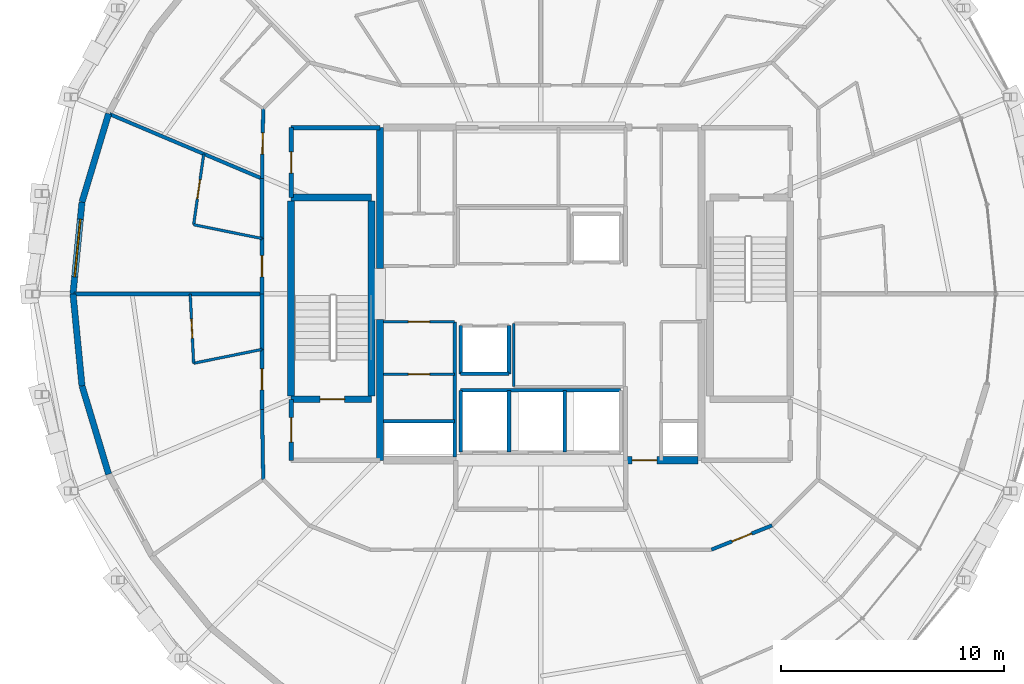
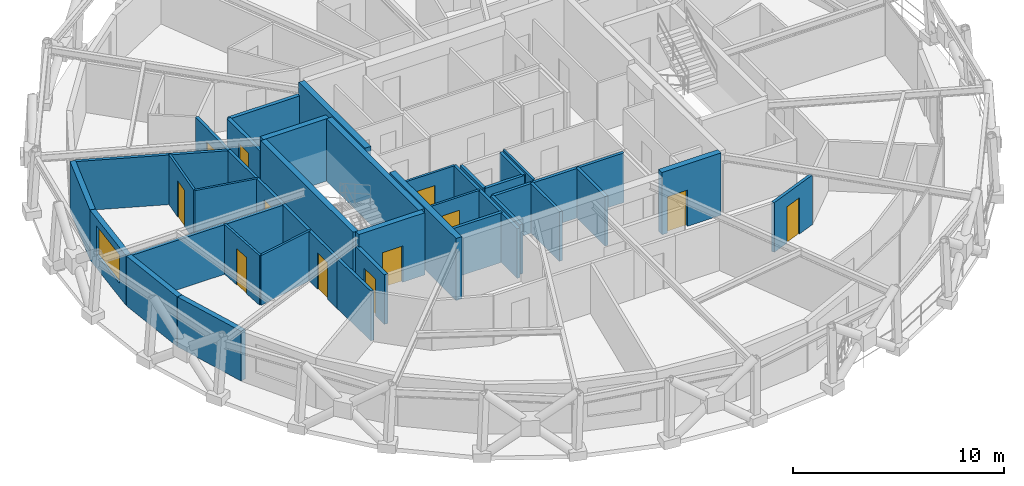
# One storey, part 11 of 15: 39 walls, 12 doors, 1 window, 13 openings.
"""IFC4 building model written with IfcOpenShell, lengths in metres."""

from ifc_helpers import new_model, si_unit, direction, frame, frame_2d, origin, place, context, subcontext, project, spatial, rectangle, extrude, material, layer, layer_set, type_object, element, fill, save


model = new_model("IFC4")

# Units and contexts
model_context = context("Model", 3, precision=1e-05, world=origin(), true_north=direction((0.0, 1.0)))
body_context = subcontext(model_context, "Body", "Model", "MODEL_VIEW")
ifc_project = project(units=[si_unit("LENGTHUNIT", "METRE"), si_unit("AREAUNIT", "SQUARE_METRE"), si_unit("VOLUMEUNIT", "CUBIC_METRE"), si_unit("PLANEANGLEUNIT", "RADIAN"), si_unit("MASSUNIT", "GRAM", prefix="KILO")], contexts=[model_context])

# Site, building, storey
site_placement = place(None, origin())
site = spatial("IfcSite", under=ifc_project, at=site_placement, CompositionType="ELEMENT")
building_placement = place(site_placement, origin())
building = spatial("IfcBuilding", under=site, at=building_placement, Name="Veldorina Hangang Commons", CompositionType="ELEMENT")
storey_placement = place(building_placement, frame((0.0, 0.0, 250.800048828125)))
storey = spatial("IfcBuildingStorey", under=building, at=storey_placement, Name="L65", CompositionType="ELEMENT", Elevation=250.800048828125)

# Walls
ifc_material_1 = material(Name="Concrete C50/60", Category="concrete")
ifc_layer_1 = layer(ifc_material_1, 0.320068359375)
ifc_layer_set_1 = layer_set([ifc_layer_1], Name="Concrete C50/60")
wall_type_1 = type_object("IfcWallType", Name="CW-RC320-C50", PredefinedType="SHEAR", material=ifc_layer_set_1)
for number, where, z_axis, x_axis, name in (
    (1, (24.800048828125, 16.550048828125, 0.0), (0.0, 0.0, 1.0), (0.0, 1.0, 0.0), "L65 W south core shear wall"),
    (2, (24.800048828125, 25.14990234375, 0.0), (0.0, 0.0, 1.0), (0.0, 1.0, 0.0), "L65 W north core shear wall"),
):
    element("IfcWall", number, at=place(storey_placement, frame(where, z_axis=z_axis, x_axis=x_axis)), inside=storey, type_object=wall_type_1, Name=name, PredefinedType="SHEAR", context=body_context, shape_type="SweptSolid", body=[
        extrude(rectangle(XDim=6.300048828125, YDim=0.320068359375, at=frame_2d((3.14990234375, 0.0))), origin(), (0.0, 0.0, 1.0), 3.599853515625),
    ])

# Wall, opening, door
wall_1_placement = place(storey_placement, frame((35.800048828125, 16.550048828125, 0.0), z_axis=(0.0, 0.0, 1.0), x_axis=(1.0, 0.0, 0.0)))
wall_1 = element("IfcWall", 3, at=wall_1_placement, inside=storey, type_object=wall_type_1, Name="L65 south-east core shear wall", PredefinedType="SHEAR", context=body_context, shape_type="SweptSolid", body=[
    extrude(rectangle(XDim=3.239990234375, YDim=0.320068359375, at=frame_2d((1.6201171875, 0.0))), origin(), (0.0, 0.0, 1.0), 3.599853515625),
])
opening_1_placement = place(wall_1_placement, frame((0.300048828125, 0.0, 0.0)))
opening_1 = element("IfcOpeningElement", 4, at=opening_1_placement, cuts=wall_1, Name="Opening D-08", PredefinedType="OPENING", context=body_context, shape_type="SweptSolid", body=[
    extrude(rectangle(XDim=1.10009765625, YDim=2.10009765625, at=frame_2d((0.550048828125, 1.050048828125))), frame((0.0, 0.169921875, 0.0), z_axis=(0.0, -1.0, 0.0), x_axis=(1.0, 0.0, 0.0)), (0.0, 0.0, 1.0), 0.340087890625),
])
ifc_material_2 = material(Name="Steel Fire-Rated Smoke Seal", Category="steel")
door_type_1 = type_object("IfcDoorType", Name="DR-FIRE-1100", OperationType="SINGLE_SWING_RIGHT", PredefinedType="DOOR", material=ifc_material_2)
door_1_placement = place(opening_1_placement, origin())
door_1 = element("IfcDoor", 5, at=door_1_placement, inside=storey, type_object=door_type_1, Name="L65 central lift lobby south corridor door", OperationType="SINGLE_SWING_RIGHT", OverallHeight=2.10009765625, OverallWidth=1.10009765625, PredefinedType="DOOR", context=body_context, shape_type="SweptSolid", body=[
    extrude(rectangle(XDim=1.10009765625, YDim=2.10009765625, at=frame_2d((0.550048828125, 1.050048828125))), frame((0.0, 0.02490234375, 0.0), z_axis=(0.0, -1.0, 0.0), x_axis=(1.0, 0.0, 0.0)), (0.0, 0.0, 1.0), 0.050048828125),
])
fill(opening_1, door_1)

# Wall
ifc_material_3 = material(Name="Stone Roman Travertine", Category="masonry")
ifc_layer_2 = layer(ifc_material_3, 0.280029296875)
ifc_layer_set_2 = layer_set([ifc_layer_2], Name="Stone Roman Travertine")
wall_type_2 = type_object("IfcWallType", Name="EW-TRAV-280", PredefinedType="STANDARD", material=ifc_layer_set_2)
wall_2_placement = place(storey_placement, frame((12.649169921875, 32.07373046875, 0.0), z_axis=(0.0, 0.0, 1.0), x_axis=(-0.288361061872, -0.957521748054, 0.0)))
element("IfcWall", 6, at=wall_2_placement, inside=storey, type_object=wall_type_2, Name="L65 travertine facade wall 14", PredefinedType="STANDARD", context=body_context, shape_type="SweptSolid", body=[
    extrude(rectangle(XDim=4.13330078125, YDim=0.280029296875, at=frame_2d((2.066650390625, 0.0))), origin(), (0.0, 0.0, 1.0), 2.8798828125),
])

# Wall, opening, window
wall_3_placement = place(storey_placement, frame((11.457275390625, 28.115966796875, 0.0), z_axis=(0.0, 0.0, 1.0), x_axis=(-0.097346706508, -0.995250530636, 0.0)))
wall_3 = element("IfcWall", 7, at=wall_3_placement, inside=storey, type_object=wall_type_2, Name="L65 travertine facade wall 15", PredefinedType="STANDARD", context=body_context, shape_type="SweptSolid", body=[
    extrude(rectangle(XDim=4.135498046875, YDim=0.280029296875, at=frame_2d((2.06787109375, 0.0))), origin(), (0.0, 0.0, 1.0), 2.8798828125),
])
opening_2_placement = place(wall_3_placement, frame((0.767822265625, 0.0, 0.800048828125)))
opening_2 = element("IfcOpeningElement", 8, at=opening_2_placement, cuts=wall_3, Name="Opening W-02", PredefinedType="OPENING", context=body_context, shape_type="SweptSolid", body=[
    extrude(rectangle(XDim=2.60009765625, YDim=1.64990234375, at=frame_2d((1.300048828125, 0.824951171875))), frame((0.0, 0.14990234375, 0.0), z_axis=(0.0, -1.0, 0.0), x_axis=(1.0, 0.0, 0.0)), (0.0, 0.0, 1.0), 0.300048828125),
])
ifc_material_4 = material(Name="Glass Low-E Triple IGU", Category="glass")
window_type = type_object("IfcWindowType", Name="WIN-TWR-2600", PartitioningType="SINGLE_PANEL", PredefinedType="WINDOW", material=ifc_material_4)
window_placement = place(opening_2_placement, origin())
window = element("IfcWindow", 9, at=window_placement, inside=storey, type_object=window_type, Name="L65 facade window 15", OverallHeight=1.64990234375, OverallWidth=2.60009765625, PartitioningType="SINGLE_PANEL", PredefinedType="WINDOW", context=body_context, shape_type="SweptSolid", body=[
    extrude(rectangle(XDim=2.60009765625, YDim=1.64990234375, at=frame_2d((1.300048828125, 0.824951171875))), frame((0.0, 0.030029296875, 0.0), z_axis=(0.0, -1.0, 0.0), x_axis=(1.0, 0.0, 0.0)), (0.0, 0.0, 1.0), 0.06005859375),
])
fill(opening_2, window)

# Walls
wall_4_placement = place(storey_placement, frame((11.0546875, 24.0, 0.0), z_axis=(0.0, 0.0, 1.0), x_axis=(0.097346706508, -0.995250530636, 0.0)))
element("IfcWall", 10, at=wall_4_placement, inside=storey, type_object=wall_type_2, Name="L65 travertine facade wall 16", PredefinedType="STANDARD", context=body_context, shape_type="SweptSolid", body=[
    extrude(rectangle(XDim=4.135498046875, YDim=0.280029296875, at=frame_2d((2.06787109375, 0.0))), origin(), (0.0, 0.0, 1.0), 2.8798828125),
])
wall_5_placement = place(storey_placement, frame((11.457275390625, 19.884033203125, 0.0), z_axis=(0.0, 0.0, 1.0), x_axis=(0.288361061872, -0.957521748054, 0.0)))
element("IfcWall", 11, at=wall_5_placement, inside=storey, type_object=wall_type_2, Name="L65 travertine facade wall 17", PredefinedType="STANDARD", context=body_context, shape_type="SweptSolid", body=[
    extrude(rectangle(XDim=4.13330078125, YDim=0.280029296875, at=frame_2d((2.066650390625, 0.0))), origin(), (0.0, 0.0, 1.0), 2.8798828125),
])
ifc_layer_3 = layer(ifc_material_1, 0.300048828125)
ifc_layer_set_3 = layer_set([ifc_layer_3], Name="Concrete C50/60")
wall_type_3 = type_object("IfcWallType", Name="SW-STAIR-300", PredefinedType="SHEAR", material=ifc_layer_set_3)
for number, where, z_axis, x_axis, name in (
    (12, (20.820068359375, 19.429931640625, 0.0), (0.0, 0.0, 1.0), (0.0, 1.0, 0.0), "L65 ST1 outer stair shear wall"),
    (13, (24.419921875, 19.429931640625, 0.0), (0.0, 0.0, 1.0), (0.0, 1.0, 0.0), "L65 ST1 inner stair shear wall"),
):
    element("IfcWall", number, at=place(storey_placement, frame(where, z_axis=z_axis, x_axis=x_axis)), inside=storey, type_object=wall_type_3, Name=name, PredefinedType="SHEAR", context=body_context, shape_type="SweptSolid", body=[
        extrude(rectangle(XDim=8.739990234375, YDim=0.300048828125, at=frame_2d((4.3701171875, 0.0))), origin(), (0.0, 0.0, 1.0), 3.599853515625),
    ])

# Wall, opening, door
wall_6_placement = place(storey_placement, frame((20.820068359375, 19.280029296875, 0.0), z_axis=(0.0, 0.0, 1.0), x_axis=(1.0, 0.0, 0.0)))
wall_6 = element("IfcWall", 14, at=wall_6_placement, inside=storey, type_object=wall_type_3, Name="L65 ST1 south stair shear wall", PredefinedType="SHEAR", context=body_context, shape_type="SweptSolid", body=[
    extrude(rectangle(XDim=3.599853515625, YDim=0.300048828125, at=frame_2d((1.7998046875, 0.0))), origin(), (0.0, 0.0, 1.0), 3.599853515625),
])
opening_3_placement = place(wall_6_placement, frame((1.300048828125, 0.0, 0.0)))
opening_3 = element("IfcOpeningElement", 15, at=opening_3_placement, cuts=wall_6, Name="Opening D-08", PredefinedType="OPENING", context=body_context, shape_type="SweptSolid", body=[
    extrude(rectangle(XDim=1.10009765625, YDim=2.10009765625, at=frame_2d((0.550048828125, 1.050048828125))), frame((0.0, 0.16015625, 0.0), z_axis=(0.0, -1.0, 0.0), x_axis=(1.0, 0.0, 0.0)), (0.0, 0.0, 1.0), 0.320068359375),
])
door_2_placement = place(opening_3_placement, origin())
door_2 = element("IfcDoor", 16, at=door_2_placement, inside=storey, type_object=door_type_1, Name="L65 Special Escape Stair ST-1 door", OperationType="SINGLE_SWING_LEFT", OverallHeight=2.10009765625, OverallWidth=1.10009765625, PredefinedType="DOOR", context=body_context, shape_type="SweptSolid", body=[
    extrude(rectangle(XDim=1.10009765625, YDim=2.10009765625, at=frame_2d((0.550048828125, 1.050048828125))), frame((0.0, 0.02490234375, 0.0), z_axis=(0.0, -1.0, 0.0), x_axis=(1.0, 0.0, 0.0)), (0.0, 0.0, 1.0), 0.050048828125),
])
fill(opening_3, door_2)

# Walls
wall_7_placement = place(storey_placement, frame((20.820068359375, 28.320068359375, 0.0), z_axis=(0.0, 0.0, 1.0), x_axis=(1.0, 0.0, 0.0)))
element("IfcWall", 17, at=wall_7_placement, inside=storey, type_object=wall_type_3, Name="L65 ST1 north stair shear wall", PredefinedType="SHEAR", context=body_context, shape_type="SweptSolid", body=[
    extrude(rectangle(XDim=3.599853515625, YDim=0.300048828125, at=frame_2d((1.7998046875, 0.0))), origin(), (0.0, 0.0, 1.0), 3.599853515625),
])
ifc_material_5 = material(Name="Gypsum Fire-Rated Twin Stud Wall", Category="gypsum")
ifc_layer_4 = layer(ifc_material_5, 0.159912109375)
ifc_layer_set_4 = layer_set([ifc_layer_4], Name="Gypsum Fire-Rated Twin Stud Wall")
wall_type_4 = type_object("IfcWallType", Name="WL-FIRE-160", PredefinedType="SOLIDWALL", material=ifc_layer_set_4)
for number, where, z_axis, x_axis, name in (
    (18, (28.419921875, 20.419921875, 0.0), (0.0, 0.0, 1.0), (1.0, 0.0, 0.0), "L65 Shuttle-high rear shaft wall 020"),
    (19, (28.419921875, 20.419921875, 0.0), (0.0, 0.0, 1.0), (0.0, 1.0, 0.0), "L65 PL-H2 west shaft wall 021"),
    (20, (30.580078125, 20.419921875, 0.0), (0.0, 0.0, 1.0), (0.0, 1.0, 0.0), "L65 PL-H2 east shaft wall 022"),
):
    element("IfcWall", number, at=place(storey_placement, frame(where, z_axis=z_axis, x_axis=x_axis)), inside=storey, type_object=wall_type_4, Name=name, PredefinedType="SOLIDWALL", context=body_context, shape_type="SweptSolid", body=[
        extrude(rectangle(XDim=2.16015625, YDim=0.159912109375, at=frame_2d((1.080078125, 0.0))), origin(), (0.0, 0.0, 1.0), 2.869873046875),
    ])
wall_8_placement = place(storey_placement, frame((28.419921875, 19.679931640625, 0.0), z_axis=(0.0, 0.0, 1.0), x_axis=(1.0, 0.0, 0.0)))
element("IfcWall", 21, at=wall_8_placement, inside=storey, type_object=wall_type_4, Name="L65 Emergency rear shaft wall 024", PredefinedType="SOLIDWALL", context=body_context, shape_type="SweptSolid", body=[
    extrude(rectangle(XDim=7.16015625, YDim=0.159912109375, at=frame_2d((3.580078125, 0.0))), origin(), (0.0, 0.0, 1.0), 2.869873046875),
])
for number, where, z_axis, x_axis, name in (
    (22, (28.419921875, 16.919921875, 0.0), (0.0, 0.0, 1.0), (0.0, 1.0, 0.0), "L65 FFL-1 west shaft wall 025"),
    (23, (30.580078125, 16.919921875, 0.0), (0.0, 0.0, 1.0), (0.0, 1.0, 0.0), "L65 FFL-1 east shaft wall 026"),
    (24, (33.080078125, 16.919921875, 0.0), (0.0, 0.0, 1.0), (0.0, 1.0, 0.0), "L65 FFL-2 east shaft wall 027"),
):
    element("IfcWall", number, at=place(storey_placement, frame(where, z_axis=z_axis, x_axis=x_axis)), inside=storey, type_object=wall_type_4, Name=name, PredefinedType="SOLIDWALL", context=body_context, shape_type="SweptSolid", body=[
        extrude(rectangle(XDim=2.760009765625, YDim=0.159912109375, at=frame_2d((1.3798828125, 0.0))), origin(), (0.0, 0.0, 1.0), 2.869873046875),
    ])
wall_9_placement = place(storey_placement, frame((24.949951171875, 18.300048828125, 0.0), z_axis=(0.0, 0.0, 1.0), x_axis=(1.0, 0.0, 0.0)))
element("IfcWall", 25, at=wall_9_placement, inside=storey, type_object=wall_type_4, Name="L65 Electrical riser wall 041", PredefinedType="SOLIDWALL", context=body_context, shape_type="SweptSolid", body=[
    extrude(rectangle(XDim=3.199951171875, YDim=0.159912109375, at=frame_2d((1.60009765625, 0.0))), origin(), (0.0, 0.0, 1.0), 2.869873046875),
])
wall_10_placement = place(storey_placement, frame((28.14990234375, 16.699951171875, 0.0), z_axis=(0.0, 0.0, 1.0), x_axis=(0.0, 1.0, 0.0)))
element("IfcWall", 26, at=wall_10_placement, inside=storey, type_object=wall_type_4, Name="L65 SW core inner wall 042", PredefinedType="SOLIDWALL", context=body_context, shape_type="SweptSolid", body=[
    extrude(rectangle(XDim=6.050048828125, YDim=0.159912109375, at=frame_2d((3.02490234375, 0.0))), origin(), (0.0, 0.0, 1.0), 2.869873046875),
])

# Wall, opening, door
wall_11_placement = place(storey_placement, frame((19.5732421875, 32.30322265625, 0.0), z_axis=(0.0, 0.0, 1.0), x_axis=(-0.016981035134, -0.999855811828, 0.0)))
wall_11 = element("IfcWall", 27, at=wall_11_placement, inside=storey, type_object=wall_type_4, Name="L65 Compact collar outer wall 13 067", PredefinedType="SOLIDWALL", context=body_context, shape_type="SweptSolid", body=[
    extrude(rectangle(XDim=3.13427734375, YDim=0.159912109375, at=frame_2d((1.567138671875, 0.0))), origin(), (0.0, 0.0, 1.0), 2.869873046875),
])
opening_4_placement = place(wall_11_placement, frame((1.09228515625, 0.0, 0.0)))
opening_4 = element("IfcOpeningElement", 28, at=opening_4_placement, cuts=wall_11, Name="Opening D-03", PredefinedType="OPENING", context=body_context, shape_type="SweptSolid", body=[
    extrude(rectangle(XDim=0.949951171875, YDim=2.10009765625, at=frame_2d((0.47509765625, 1.050048828125))), frame((0.0, 0.08984375, 0.0), z_axis=(0.0, -1.0, 0.0), x_axis=(1.0, 0.0, 0.0)), (0.0, 0.0, 1.0), 0.179931640625),
])
ifc_material_6 = material(Name="Timber Fire-Rated Entrance Core", Category="wood")
door_type_2 = type_object("IfcDoorType", Name="DR-UNIT-950", OperationType="SINGLE_SWING_RIGHT", PredefinedType="DOOR", material=ifc_material_6)
door_3_placement = place(opening_4_placement, origin())
door_3 = element("IfcDoor", 29, at=door_3_placement, inside=storey, type_object=door_type_2, Name="L65 Studio 8 entrance door 036", OperationType="SINGLE_SWING_RIGHT", OverallHeight=2.10009765625, OverallWidth=0.949951171875, PredefinedType="DOOR", context=body_context, shape_type="SweptSolid", body=[
    extrude(rectangle(XDim=0.949951171875, YDim=2.10009765625, at=frame_2d((0.47509765625, 1.050048828125))), frame((0.0, 0.02490234375, 0.0), z_axis=(0.0, -1.0, 0.0), x_axis=(1.0, 0.0, 0.0)), (0.0, 0.0, 1.0), 0.050048828125),
])
fill(opening_4, door_3)

# Wall
wall_12_placement = place(storey_placement, frame((19.52001953125, 29.16943359375, 0.0), z_axis=(0.0, 0.0, 1.0), x_axis=(0.0, -1.0, 0.0)))
element("IfcWall", 30, at=wall_12_placement, inside=storey, type_object=wall_type_4, Name="L65 Compact collar outer wall 14 068", PredefinedType="SOLIDWALL", context=body_context, shape_type="SweptSolid", body=[
    extrude(rectangle(XDim=2.68701171875, YDim=0.159912109375, at=frame_2d((1.343505859375, 0.0))), origin(), (0.0, 0.0, 1.0), 2.869873046875),
])

# Wall, opening, door
wall_13_placement = place(storey_placement, frame((19.52001953125, 26.482421875, 0.0), z_axis=(0.0, 0.0, 1.0), x_axis=(0.0, -1.0, 0.0)))
wall_13 = element("IfcWall", 31, at=wall_13_placement, inside=storey, type_object=wall_type_4, Name="L65 Compact collar outer wall 15 069", PredefinedType="SOLIDWALL", context=body_context, shape_type="SweptSolid", body=[
    extrude(rectangle(XDim=2.482421875, YDim=0.159912109375, at=frame_2d((1.2412109375, 0.0))), origin(), (0.0, 0.0, 1.0), 2.869873046875),
])
opening_5_placement = place(wall_13_placement, frame((0.76611328125, 0.0, 0.0)))
opening_5 = element("IfcOpeningElement", 32, at=opening_5_placement, cuts=wall_13, Name="Opening D-03", PredefinedType="OPENING", context=body_context, shape_type="SweptSolid", body=[
    extrude(rectangle(XDim=0.949951171875, YDim=2.10009765625, at=frame_2d((0.47509765625, 1.050048828125))), frame((0.0, 0.08984375, 0.0), z_axis=(0.0, -1.0, 0.0), x_axis=(1.0, 0.0, 0.0)), (0.0, 0.0, 1.0), 0.179931640625),
])
door_4_placement = place(opening_5_placement, origin())
door_4 = element("IfcDoor", 33, at=door_4_placement, inside=storey, type_object=door_type_2, Name="L65 Studio 9 entrance door 038", OperationType="SINGLE_SWING_RIGHT", OverallHeight=2.10009765625, OverallWidth=0.949951171875, PredefinedType="DOOR", context=body_context, shape_type="SweptSolid", body=[
    extrude(rectangle(XDim=0.949951171875, YDim=2.10009765625, at=frame_2d((0.47509765625, 1.050048828125))), frame((0.0, 0.02490234375, 0.0), z_axis=(0.0, -1.0, 0.0), x_axis=(1.0, 0.0, 0.0)), (0.0, 0.0, 1.0), 0.050048828125),
])
fill(opening_5, door_4)

# Wall
wall_14_placement = place(storey_placement, frame((19.52001953125, 24.0, 0.0), z_axis=(0.0, 0.0, 1.0), x_axis=(0.0, -1.0, 0.0)))
element("IfcWall", 34, at=wall_14_placement, inside=storey, type_object=wall_type_4, Name="L65 Compact collar outer wall 16 070", PredefinedType="SOLIDWALL", context=body_context, shape_type="SweptSolid", body=[
    extrude(rectangle(XDim=2.482421875, YDim=0.159912109375, at=frame_2d((1.2412109375, 0.0))), origin(), (0.0, 0.0, 1.0), 2.869873046875),
])

# Wall, opening, door
wall_15_placement = place(storey_placement, frame((19.52001953125, 21.517578125, 0.0), z_axis=(0.0, 0.0, 1.0), x_axis=(0.0, -1.0, 0.0)))
wall_15 = element("IfcWall", 35, at=wall_15_placement, inside=storey, type_object=wall_type_4, Name="L65 Compact collar outer wall 17 071", PredefinedType="SOLIDWALL", context=body_context, shape_type="SweptSolid", body=[
    extrude(rectangle(XDim=2.68701171875, YDim=0.159912109375, at=frame_2d((1.343505859375, 0.0))), origin(), (0.0, 0.0, 1.0), 2.869873046875),
])
opening_6_placement = place(wall_15_placement, frame((0.868408203125, 0.0, 0.0)))
opening_6 = element("IfcOpeningElement", 36, at=opening_6_placement, cuts=wall_15, Name="Opening D-03", PredefinedType="OPENING", context=body_context, shape_type="SweptSolid", body=[
    extrude(rectangle(XDim=0.949951171875, YDim=2.10009765625, at=frame_2d((0.47509765625, 1.050048828125))), frame((0.0, 0.08984375, 0.0), z_axis=(0.0, -1.0, 0.0), x_axis=(1.0, 0.0, 0.0)), (0.0, 0.0, 1.0), 0.179931640625),
])
door_5_placement = place(opening_6_placement, origin())
door_5 = element("IfcDoor", 37, at=door_5_placement, inside=storey, type_object=door_type_2, Name="L65 Studio 10 entrance door 040", OperationType="SINGLE_SWING_RIGHT", OverallHeight=2.10009765625, OverallWidth=0.949951171875, PredefinedType="DOOR", context=body_context, shape_type="SweptSolid", body=[
    extrude(rectangle(XDim=0.949951171875, YDim=2.10009765625, at=frame_2d((0.47509765625, 1.050048828125))), frame((0.0, 0.02490234375, 0.0), z_axis=(0.0, -1.0, 0.0), x_axis=(1.0, 0.0, 0.0)), (0.0, 0.0, 1.0), 0.050048828125),
])
fill(opening_6, door_5)

# Wall
wall_16_placement = place(storey_placement, frame((19.52001953125, 18.83056640625, 0.0), z_axis=(0.0, 0.0, 1.0), x_axis=(0.016981035134, -0.999855811828, 0.0)))
element("IfcWall", 38, at=wall_16_placement, inside=storey, type_object=wall_type_4, Name="L65 Compact collar outer wall 18 072", PredefinedType="SOLIDWALL", context=body_context, shape_type="SweptSolid", body=[
    extrude(rectangle(XDim=3.13427734375, YDim=0.159912109375, at=frame_2d((1.567138671875, 0.0))), origin(), (0.0, 0.0, 1.0), 2.869873046875),
])

# Wall, opening, door
wall_17_placement = place(storey_placement, frame((39.650634765625, 12.550048828125, 0.0), z_axis=(0.0, 0.0, 1.0), x_axis=(0.92856882165, 0.371160266542, 0.0)))
wall_17 = element("IfcWall", 39, at=wall_17_placement, inside=storey, type_object=wall_type_4, Name="L65 Compact collar outer wall 27 081", PredefinedType="SOLIDWALL", context=body_context, shape_type="SweptSolid", body=[
    extrude(rectangle(XDim=2.923095703125, YDim=0.159912109375, at=frame_2d((1.46142578125, 0.0))), origin(), (0.0, 0.0, 1.0), 2.869873046875),
])
opening_7_placement = place(wall_17_placement, frame((0.986572265625, 0.0, 0.0)))
opening_7 = element("IfcOpeningElement", 40, at=opening_7_placement, cuts=wall_17, Name="Opening D-02", PredefinedType="OPENING", context=body_context, shape_type="SweptSolid", body=[
    extrude(rectangle(XDim=0.949951171875, YDim=2.10009765625, at=frame_2d((0.47509765625, 1.050048828125))), frame((0.0, 0.08984375, 0.0), z_axis=(0.0, -1.0, 0.0), x_axis=(1.0, 0.0, 0.0)), (0.0, 0.0, 1.0), 0.179931640625),
])
ifc_material_7 = material(Name="Timber Solid Core Acoustic", Category="wood")
door_type_3 = type_object("IfcDoorType", Name="DR-INT-950", OperationType="SINGLE_SWING_LEFT", PredefinedType="DOOR", material=ifc_material_7)
door_6_placement = place(opening_7_placement, origin())
door_6 = element("IfcDoor", 41, at=door_6_placement, inside=storey, type_object=door_type_3, Name="L65 Linen drying store door 043", OperationType="SINGLE_SWING_LEFT", OverallHeight=2.10009765625, OverallWidth=0.949951171875, PredefinedType="DOOR", context=body_context, shape_type="SweptSolid", body=[
    extrude(rectangle(XDim=0.949951171875, YDim=2.10009765625, at=frame_2d((0.47509765625, 1.050048828125))), frame((0.0, 0.02490234375, 0.0), z_axis=(0.0, -1.0, 0.0), x_axis=(1.0, 0.0, 0.0)), (0.0, 0.0, 1.0), 0.050048828125),
])
fill(opening_7, door_6)

# Walls
wall_18_placement = place(storey_placement, frame((19.52001953125, 29.16943359375, 0.0), z_axis=(0.0, 0.0, 1.0), x_axis=(-0.921093629339, 0.38934114346, 0.0)))
element("IfcWall", 42, at=wall_18_placement, inside=storey, type_object=wall_type_4, Name="L65 Unit party wall 14 108", PredefinedType="SOLIDWALL", context=body_context, shape_type="SweptSolid", body=[
    extrude(rectangle(XDim=7.409423828125, YDim=0.159912109375, at=frame_2d((3.70458984375, 0.0))), origin(), (0.0, 0.0, 1.0), 2.869873046875),
])
wall_19_placement = place(storey_placement, frame((19.52001953125, 24.0, 0.0), z_axis=(0.0, 0.0, 1.0), x_axis=(-1.0, 0.0, 0.0)))
element("IfcWall", 43, at=wall_19_placement, inside=storey, type_object=wall_type_4, Name="L65 Unit party wall 16 111", PredefinedType="SOLIDWALL", context=body_context, shape_type="SweptSolid", body=[
    extrude(rectangle(XDim=8.415283203125, YDim=0.159912109375, at=frame_2d((4.20751953125, 0.0))), origin(), (0.0, 0.0, 1.0), 2.869873046875),
])

# Wall, opening, door
ifc_material_8 = material(Name="Concrete Blockwork Fire Wall C30/37", Category="masonry")
ifc_layer_5 = layer(ifc_material_8, 0.199951171875)
ifc_layer_set_5 = layer_set([ifc_layer_5], Name="Concrete Blockwork Fire Wall C30/37")
wall_type_5 = type_object("IfcWallType", Name="WL-FIRE-200", PredefinedType="SOLIDWALL", material=ifc_layer_set_5)
wall_20_placement = place(storey_placement, frame((20.820068359375, 16.550048828125, 0.0), z_axis=(0.0, 0.0, 1.0), x_axis=(0.0, 1.0, 0.0)))
wall_20 = element("IfcWall", 44, at=wall_20_placement, inside=storey, type_object=wall_type_5, Name="L65 West vestibule outer wall 001", PredefinedType="SOLIDWALL", context=body_context, shape_type="SweptSolid", body=[
    extrude(rectangle(XDim=2.72998046875, YDim=0.199951171875, at=frame_2d((1.364990234375, 0.0))), origin(), (0.0, 0.0, 1.0), 2.869873046875),
])
opening_8_placement = place(wall_20_placement, frame((0.81494140625, 0.0, 0.0)))
opening_8 = element("IfcOpeningElement", 45, at=opening_8_placement, cuts=wall_20, Name="Opening D-08", PredefinedType="OPENING", context=body_context, shape_type="SweptSolid", body=[
    extrude(rectangle(XDim=1.10009765625, YDim=2.10009765625, at=frame_2d((0.550048828125, 1.050048828125))), frame((0.0, 0.10986328125, 0.0), z_axis=(0.0, -1.0, 0.0), x_axis=(1.0, 0.0, 0.0)), (0.0, 0.0, 1.0), 0.219970703125),
])
door_7_placement = place(opening_8_placement, origin())
door_7 = element("IfcDoor", 46, at=door_7_placement, inside=storey, type_object=door_type_1, Name="L65 West vestibule west door 001", OperationType="SINGLE_SWING_LEFT", OverallHeight=2.10009765625, OverallWidth=1.10009765625, PredefinedType="DOOR", context=body_context, shape_type="SweptSolid", body=[
    extrude(rectangle(XDim=1.10009765625, YDim=2.10009765625, at=frame_2d((0.550048828125, 1.050048828125))), frame((0.0, 0.02490234375, 0.0), z_axis=(0.0, -1.0, 0.0), x_axis=(1.0, 0.0, 0.0)), (0.0, 0.0, 1.0), 0.050048828125),
])
fill(opening_8, door_7)

wall_21_placement = place(storey_placement, frame((20.820068359375, 28.320068359375, 0.0), z_axis=(0.0, 0.0, 1.0), x_axis=(0.0, 1.0, 0.0)))
wall_21 = element("IfcWall", 47, at=wall_21_placement, inside=storey, type_object=wall_type_5, Name="L65 NW core room outer wall 005", PredefinedType="SOLIDWALL", context=body_context, shape_type="SweptSolid", body=[
    extrude(rectangle(XDim=3.1298828125, YDim=0.199951171875, at=frame_2d((1.56494140625, 0.0))), origin(), (0.0, 0.0, 1.0), 2.869873046875),
])
opening_9_placement = place(wall_21_placement, frame((1.090087890625, 0.0, 0.0)))
opening_9 = element("IfcOpeningElement", 48, at=opening_9_placement, cuts=wall_21, Name="Opening D-04", PredefinedType="OPENING", context=body_context, shape_type="SweptSolid", body=[
    extrude(rectangle(XDim=0.949951171875, YDim=2.10009765625, at=frame_2d((0.47509765625, 1.050048828125))), frame((0.0, 0.10986328125, 0.0), z_axis=(0.0, -1.0, 0.0), x_axis=(1.0, 0.0, 0.0)), (0.0, 0.0, 1.0), 0.219970703125),
])
ifc_material_9 = material(Name="Timber Accessible Flush Leaf", Category="wood")
door_type_4 = type_object("IfcDoorType", Name="DR-ACC-950", OperationType="SINGLE_SWING_LEFT", PredefinedType="DOOR", material=ifc_material_9)
door_8_placement = place(opening_9_placement, origin())
door_8 = element("IfcDoor", 49, at=door_8_placement, inside=storey, type_object=door_type_4, Name="L65 NW core WC door 003", OperationType="SINGLE_SWING_LEFT", OverallHeight=2.10009765625, OverallWidth=0.949951171875, PredefinedType="DOOR", context=body_context, shape_type="SweptSolid", body=[
    extrude(rectangle(XDim=0.949951171875, YDim=2.10009765625, at=frame_2d((0.47509765625, 1.050048828125))), frame((0.0, 0.02490234375, 0.0), z_axis=(0.0, -1.0, 0.0), x_axis=(1.0, 0.0, 0.0)), (0.0, 0.0, 1.0), 0.050048828125),
])
fill(opening_9, door_8)

# Walls
wall_22_placement = place(storey_placement, frame((20.820068359375, 31.449951171875, 0.0), z_axis=(0.0, 0.0, 1.0), x_axis=(1.0, 0.0, 0.0)))
element("IfcWall", 50, at=wall_22_placement, inside=storey, type_object=wall_type_5, Name="L65 NW core room north wall 006", PredefinedType="SOLIDWALL", context=body_context, shape_type="SweptSolid", body=[
    extrude(rectangle(XDim=3.97998046875, YDim=0.199951171875, at=frame_2d((1.989990234375, 0.0))), origin(), (0.0, 0.0, 1.0), 2.869873046875),
])
ifc_material_10 = material(Name="Gypsum Acoustic Stud Partition", Category="gypsum")
ifc_layer_6 = layer(ifc_material_10, 0.1201171875)
ifc_layer_set_6 = layer_set([ifc_layer_6], Name="Gypsum Acoustic Stud Partition")
wall_type_6 = type_object("IfcWallType", Name="WL-PART-120", PredefinedType="PARTITIONING", material=ifc_layer_set_6)
wall_23_placement = place(storey_placement, frame((30.800048828125, 19.85009765625, 0.0), z_axis=(0.0, 0.0, 1.0), x_axis=(0.0, 1.0, 0.0)))
element("IfcWall", 51, at=wall_23_placement, inside=storey, type_object=wall_type_6, Name="L65 Merged shuttle west wall 039", PredefinedType="PARTITIONING", context=body_context, shape_type="SweptSolid", body=[
    extrude(rectangle(XDim=2.829833984375, YDim=0.1201171875, at=frame_2d((1.4150390625, 0.0))), origin(), (0.0, 0.0, 1.0), 2.869873046875),
])

# Wall, opening, door
wall_24_placement = place(storey_placement, frame((24.949951171875, 22.75, 0.0), z_axis=(0.0, 0.0, 1.0), x_axis=(1.0, 0.0, 0.0)))
wall_24 = element("IfcWall", 52, at=wall_24_placement, inside=storey, type_object=wall_type_6, Name="L65 SW service north wall 046", PredefinedType="PARTITIONING", context=body_context, shape_type="SweptSolid", body=[
    extrude(rectangle(XDim=3.199951171875, YDim=0.1201171875, at=frame_2d((1.60009765625, 0.0))), origin(), (0.0, 0.0, 1.0), 2.869873046875),
])
opening_10_placement = place(wall_24_placement, frame((1.125, 0.0, 0.0)))
opening_10 = element("IfcOpeningElement", 53, at=opening_10_placement, cuts=wall_24, Name="Opening D-02", PredefinedType="OPENING", context=body_context, shape_type="SweptSolid", body=[
    extrude(rectangle(XDim=0.949951171875, YDim=2.10009765625, at=frame_2d((0.47509765625, 1.050048828125))), frame((0.0, 0.070068359375, 0.0), z_axis=(0.0, -1.0, 0.0), x_axis=(1.0, 0.0, 0.0)), (0.0, 0.0, 1.0), 0.14013671875),
])
door_9_placement = place(opening_10_placement, origin())
door_9 = element("IfcDoor", 54, at=door_9_placement, inside=storey, type_object=door_type_3, Name="L65 Recycling room door 018", OperationType="SINGLE_SWING_RIGHT", OverallHeight=2.10009765625, OverallWidth=0.949951171875, PredefinedType="DOOR", context=body_context, shape_type="SweptSolid", body=[
    extrude(rectangle(XDim=0.949951171875, YDim=2.10009765625, at=frame_2d((0.47509765625, 1.050048828125))), frame((0.0, 0.02490234375, 0.0), z_axis=(0.0, -1.0, 0.0), x_axis=(1.0, 0.0, 0.0)), (0.0, 0.0, 1.0), 0.050048828125),
])
fill(opening_10, door_9)

wall_25_placement = place(storey_placement, frame((24.949951171875, 20.39990234375, 0.0), z_axis=(0.0, 0.0, 1.0), x_axis=(1.0, 0.0, 0.0)))
wall_25 = element("IfcWall", 55, at=wall_25_placement, inside=storey, type_object=wall_type_6, Name="L65 SW horizontal split 053", PredefinedType="PARTITIONING", context=body_context, shape_type="SweptSolid", body=[
    extrude(rectangle(XDim=3.199951171875, YDim=0.1201171875, at=frame_2d((1.60009765625, 0.0))), origin(), (0.0, 0.0, 1.0), 2.869873046875),
])
opening_11_placement = place(wall_25_placement, frame((1.125, 0.0, 0.0)))
opening_11 = element("IfcOpeningElement", 56, at=opening_11_placement, cuts=wall_25, Name="Opening D-02", PredefinedType="OPENING", context=body_context, shape_type="SweptSolid", body=[
    extrude(rectangle(XDim=0.949951171875, YDim=2.10009765625, at=frame_2d((0.47509765625, 1.050048828125))), frame((0.0, 0.070068359375, 0.0), z_axis=(0.0, -1.0, 0.0), x_axis=(1.0, 0.0, 0.0)), (0.0, 0.0, 1.0), 0.14013671875),
])
door_10_placement = place(opening_11_placement, origin())
door_10 = element("IfcDoor", 57, at=door_10_placement, inside=storey, type_object=door_type_3, Name="L65 Archive closet door 019", OperationType="SINGLE_SWING_LEFT", OverallHeight=2.10009765625, OverallWidth=0.949951171875, PredefinedType="DOOR", context=body_context, shape_type="SweptSolid", body=[
    extrude(rectangle(XDim=0.949951171875, YDim=2.10009765625, at=frame_2d((0.47509765625, 1.050048828125))), frame((0.0, 0.02490234375, 0.0), z_axis=(0.0, -1.0, 0.0), x_axis=(1.0, 0.0, 0.0)), (0.0, 0.0, 1.0), 0.050048828125),
])
fill(opening_11, door_10)

wall_26_placement = place(storey_placement, frame((16.9091796875, 30.27294921875, 0.0), z_axis=(0.0, 0.0, 1.0), x_axis=(-0.141432030345, -0.98994796873, 0.0)))
wall_26 = element("IfcWall", 58, at=wall_26_placement, inside=storey, type_object=wall_type_6, Name="L65 Studio 9 bath front wall 109", PredefinedType="PARTITIONING", context=body_context, shape_type="SweptSolid", body=[
    extrude(rectangle(XDim=3.2021484375, YDim=0.1201171875, at=frame_2d((1.60107421875, 0.0))), origin(), (0.0, 0.0, 1.0), 2.869873046875),
])
opening_12_placement = place(wall_26_placement, frame((1.171142578125, 0.0, 0.0)))
opening_12 = element("IfcOpeningElement", 59, at=opening_12_placement, cuts=wall_26, Name="Opening D-01", PredefinedType="OPENING", context=body_context, shape_type="SweptSolid", body=[
    extrude(rectangle(XDim=0.860107421875, YDim=2.10009765625, at=frame_2d((0.43017578125, 1.050048828125))), frame((0.0, 0.070068359375, 0.0), z_axis=(0.0, -1.0, 0.0), x_axis=(1.0, 0.0, 0.0)), (0.0, 0.0, 1.0), 0.14013671875),
])
ifc_material_11 = material(Name="Timber Moisture-Resistant Core", Category="wood")
door_type_5 = type_object("IfcDoorType", Name="DR-WET-860", OperationType="SINGLE_SWING_LEFT", PredefinedType="DOOR", material=ifc_material_11)
door_11_placement = place(opening_12_placement, origin())
door_11 = element("IfcDoor", 60, at=door_11_placement, inside=storey, type_object=door_type_5, Name="L65 Studio 9 bathroom door 037", OperationType="SINGLE_SWING_LEFT", OverallHeight=2.10009765625, OverallWidth=0.860107421875, PredefinedType="DOOR", context=body_context, shape_type="SweptSolid", body=[
    extrude(rectangle(XDim=0.860107421875, YDim=2.10009765625, at=frame_2d((0.43017578125, 1.050048828125))), frame((0.0, 0.02490234375, 0.0), z_axis=(0.0, -1.0, 0.0), x_axis=(1.0, 0.0, 0.0)), (0.0, 0.0, 1.0), 0.050048828125),
])
fill(opening_12, door_11)

# Wall
wall_27_placement = place(storey_placement, frame((19.52001953125, 26.482421875, 0.0), z_axis=(0.0, 0.0, 1.0), x_axis=(-0.980094066387, 0.198533677325, 0.0)))
element("IfcWall", 61, at=wall_27_placement, inside=storey, type_object=wall_type_6, Name="L65 Studio 9 bath side wall 110", PredefinedType="PARTITIONING", context=body_context, shape_type="SweptSolid", body=[
    extrude(rectangle(XDim=3.1259765625, YDim=0.1201171875, at=frame_2d((1.56298828125, 0.0))), origin(), (0.0, 0.0, 1.0), 2.869873046875),
])

# Wall, opening, door
wall_28_placement = place(storey_placement, frame((16.30322265625, 24.0, 0.0), z_axis=(0.0, 0.0, 1.0), x_axis=(0.049271319057, -0.99878543097, 0.0)))
wall_28 = element("IfcWall", 62, at=wall_28_placement, inside=storey, type_object=wall_type_6, Name="L65 Studio 10 bath front wall 112", PredefinedType="PARTITIONING", context=body_context, shape_type="SweptSolid", body=[
    extrude(rectangle(XDim=3.106689453125, YDim=0.1201171875, at=frame_2d((1.55322265625, 0.0))), origin(), (0.0, 0.0, 1.0), 2.869873046875),
])
opening_13_placement = place(wall_28_placement, frame((1.12353515625, 0.0, 0.0)))
opening_13 = element("IfcOpeningElement", 63, at=opening_13_placement, cuts=wall_28, Name="Opening D-01", PredefinedType="OPENING", context=body_context, shape_type="SweptSolid", body=[
    extrude(rectangle(XDim=0.860107421875, YDim=2.10009765625, at=frame_2d((0.43017578125, 1.050048828125))), frame((0.0, 0.070068359375, 0.0), z_axis=(0.0, -1.0, 0.0), x_axis=(1.0, 0.0, 0.0)), (0.0, 0.0, 1.0), 0.14013671875),
])
door_12_placement = place(opening_13_placement, origin())
door_12 = element("IfcDoor", 64, at=door_12_placement, inside=storey, type_object=door_type_5, Name="L65 Studio 10 bathroom door 039", OperationType="SINGLE_SWING_LEFT", OverallHeight=2.10009765625, OverallWidth=0.860107421875, PredefinedType="DOOR", context=body_context, shape_type="SweptSolid", body=[
    extrude(rectangle(XDim=0.860107421875, YDim=2.10009765625, at=frame_2d((0.43017578125, 1.050048828125))), frame((0.0, 0.02490234375, 0.0), z_axis=(0.0, -1.0, 0.0), x_axis=(1.0, 0.0, 0.0)), (0.0, 0.0, 1.0), 0.050048828125),
])
fill(opening_13, door_12)

# Wall
wall_29_placement = place(storey_placement, frame((19.52001953125, 21.517578125, 0.0), z_axis=(0.0, 0.0, 1.0), x_axis=(-0.980094066387, -0.198533677325, 0.0)))
element("IfcWall", 65, at=wall_29_placement, inside=storey, type_object=wall_type_6, Name="L65 Studio 10 bath side wall 113", PredefinedType="PARTITIONING", context=body_context, shape_type="SweptSolid", body=[
    extrude(rectangle(XDim=3.1259765625, YDim=0.1201171875, at=frame_2d((1.56298828125, 0.0))), origin(), (0.0, 0.0, 1.0), 2.869873046875),
])

save(model, "model.ifc")
